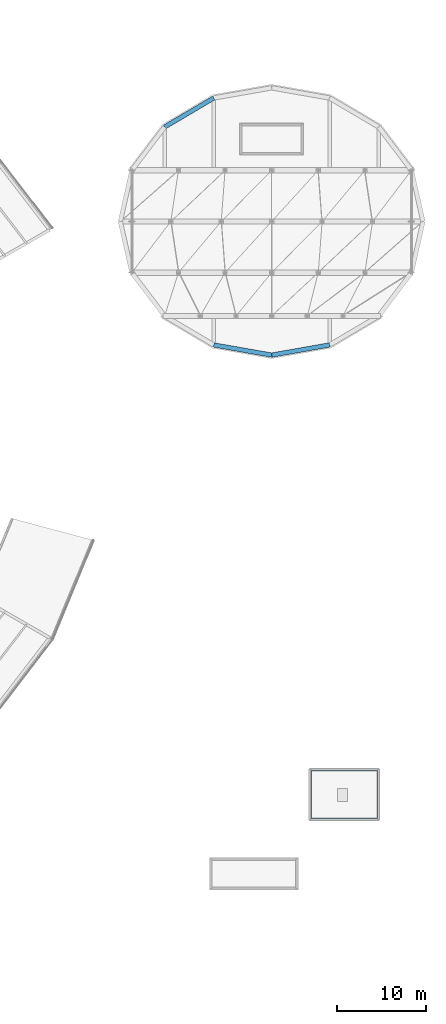
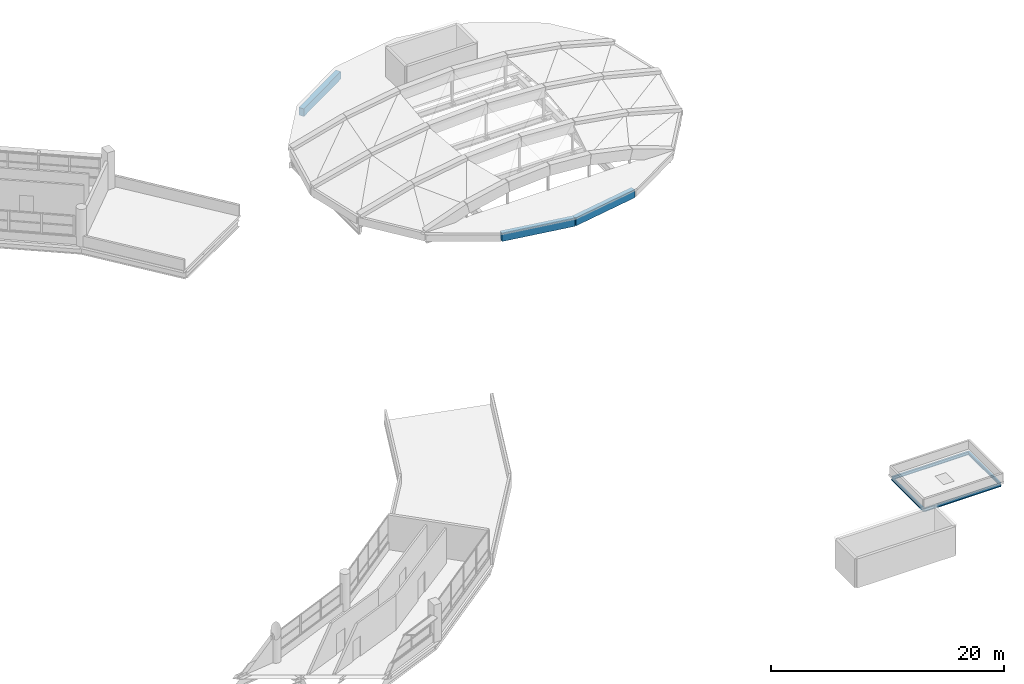
# One storey, part 59 of 88: 7 beams.
"""IFC4 building model written with IfcOpenShell, lengths in metres."""

from ifc_helpers import new_model, si_unit, direction, frame, origin, origin_2d, place, context, subcontext, project, spatial, rectangle, i_section, extrude, material, material_profile, profile_set, type_object, element, save


model = new_model("IFC4")

# Units and contexts
model_context = context("Model", 3, precision=1e-05, world=origin(), true_north=direction((0.0, 1.0)))
body_context = subcontext(model_context, "Body", "Model", "MODEL_VIEW")
ifc_project = project(units=[si_unit("LENGTHUNIT", "METRE"), si_unit("AREAUNIT", "SQUARE_METRE"), si_unit("VOLUMEUNIT", "CUBIC_METRE"), si_unit("PLANEANGLEUNIT", "RADIAN"), si_unit("MASSUNIT", "GRAM", prefix="KILO")], contexts=[model_context])

# Site, building, storey
site_placement = place(None, origin())
site = spatial("IfcSite", under=ifc_project, at=site_placement, CompositionType="ELEMENT")
building_placement = place(site_placement, origin())
building = spatial("IfcBuilding", under=site, at=building_placement, Name="Vespera Passage Community Centre", CompositionType="ELEMENT")
storey_placement = place(building_placement, frame((0.0, 0.0, 16.5)))
storey = spatial("IfcBuildingStorey", under=building, at=storey_placement, Name="L04", CompositionType="ELEMENT", Elevation=16.5)

# Beams
ifc_material_1 = material(Name="Steel ASTM A992 Grade 50", Category="steel")
ifc_material_profile_1 = material_profile(ifc_material_1, i_section(OverallWidth=0.16650390625, OverallDepth=0.3173828125, WebThickness=0.007568359375, FlangeThickness=0.01318359375, FilletRadius=0.007568359375, at=origin_2d()), Name="W12X35")
ifc_profile_set_1 = profile_set([ifc_material_profile_1], Name="Steel ASTM A992 Grade 50")
beam_type_1 = type_object("IfcBeamType", Name="BM-J-W12X35", PredefinedType="JOIST", material=ifc_profile_set_1)
beam_1_placement = place(storey_placement, frame((147.39990234375, 22.0, -0.608642578125), z_axis=(1.0, 0.0, 0.0), x_axis=(0.0, 1.0, 0.0)))
element("IfcBeam", 1, at=beam_1_placement, inside=storey, type_object=beam_type_1, Name="Conservatory Roof Edge Beam 1", PredefinedType="JOIST", context=body_context, shape_type="SweptSolid", body=[
    extrude(i_section(OverallWidth=0.16650390625, OverallDepth=0.3173828125, WebThickness=0.007568359375, FlangeThickness=0.01318359375, FilletRadius=0.007568359375, at=origin_2d()), origin(), (0.0, 0.0, 1.0), 7.60009765625),
])
beam_2_placement = place(storey_placement, frame((155.0, 22.0, -0.608642578125), z_axis=(0.0, 1.0, 0.0), x_axis=(-1.0, 0.0, 0.0)))
element("IfcBeam", 2, at=beam_2_placement, inside=storey, type_object=beam_type_1, Name="Conservatory Roof Edge Beam 2", PredefinedType="JOIST", context=body_context, shape_type="SweptSolid", body=[
    extrude(i_section(OverallWidth=0.16650390625, OverallDepth=0.3173828125, WebThickness=0.007568359375, FlangeThickness=0.01318359375, FilletRadius=0.007568359375, at=origin_2d()), origin(), (0.0, 0.0, 1.0), 5.5),
])
beam_3_placement = place(storey_placement, frame((155.0, 27.5, -0.608642578125), z_axis=(-1.0, 0.0, 0.0), x_axis=(0.0, -1.0, 0.0)))
element("IfcBeam", 3, at=beam_3_placement, inside=storey, type_object=beam_type_1, Name="Conservatory Roof Edge Beam 3", PredefinedType="JOIST", context=body_context, shape_type="SweptSolid", body=[
    extrude(i_section(OverallWidth=0.16650390625, OverallDepth=0.3173828125, WebThickness=0.007568359375, FlangeThickness=0.01318359375, FilletRadius=0.007568359375, at=origin_2d()), origin(), (0.0, 0.0, 1.0), 7.60009765625),
])
beam_4_placement = place(storey_placement, frame((147.39990234375, 27.5, -0.608642578125), z_axis=(0.0, -1.0, 0.0), x_axis=(1.0, 0.0, 0.0)))
element("IfcBeam", 4, at=beam_4_placement, inside=storey, type_object=beam_type_1, Name="Conservatory Roof Edge Beam 4", PredefinedType="JOIST", context=body_context, shape_type="SweptSolid", body=[
    extrude(i_section(OverallWidth=0.16650390625, OverallDepth=0.3173828125, WebThickness=0.007568359375, FlangeThickness=0.01318359375, FilletRadius=0.007568359375, at=origin_2d()), origin(), (0.0, 0.0, 1.0), 5.5),
])
ifc_material_2 = material(Name="Concrete f'c 35 MPa", Category="concrete")
ifc_material_profile_2 = material_profile(ifc_material_2, rectangle(XDim=0.5, YDim=0.800048828125, at=origin_2d()), Name="RC500X800")
ifc_profile_set_2 = profile_set([ifc_material_profile_2], Name="Concrete f'c 35 MPa")
beam_type_2 = type_object("IfcBeamType", Name="BM-SP-500X800E", PredefinedType="SPANDREL", material=ifc_profile_set_2)
beam_5_placement = place(storey_placement, frame((136.4560546875, 103.45068359375, -0.60009765625), z_axis=(-0.861245535965, -0.508189065978, 0.0), x_axis=(0.508189065978, -0.861245535965, 0.0)))
element("IfcBeam", 5, at=beam_5_placement, inside=storey, type_object=beam_type_2, Name="V2 L04 Perimeter Spandrel 6", PredefinedType="SPANDREL", context=body_context, shape_type="SweptSolid", body=[
    extrude(rectangle(XDim=0.5, YDim=0.800048828125, at=origin_2d()), origin(), (0.0, 0.0, 1.0), 6.44140625),
])
for number, where, z_axis, x_axis, name in (
    (6, (136.4560546875, 75.54931640625, -0.60009765625), (0.984922333185, -0.172997102844, 0.0), (0.172997102844, 0.984922333185, 0.0), "V2 L04 Perimeter Spandrel 12"),
    (7, (143.0, 74.39990234375, -0.60009765625), (0.984922333185, 0.172997102844, 0.0), (-0.172997102844, 0.984922333185, 0.0), "V2 L04 Perimeter Spandrel 13"),
):
    element("IfcBeam", number, at=place(storey_placement, frame(where, z_axis=z_axis, x_axis=x_axis)), inside=storey, type_object=beam_type_2, Name=name, PredefinedType="SPANDREL", context=body_context, shape_type="SweptSolid", body=[
        extrude(rectangle(XDim=0.5, YDim=0.800048828125, at=origin_2d()), origin(), (0.0, 0.0, 1.0), 6.64404296875),
    ])

save(model, "model.ifc")
